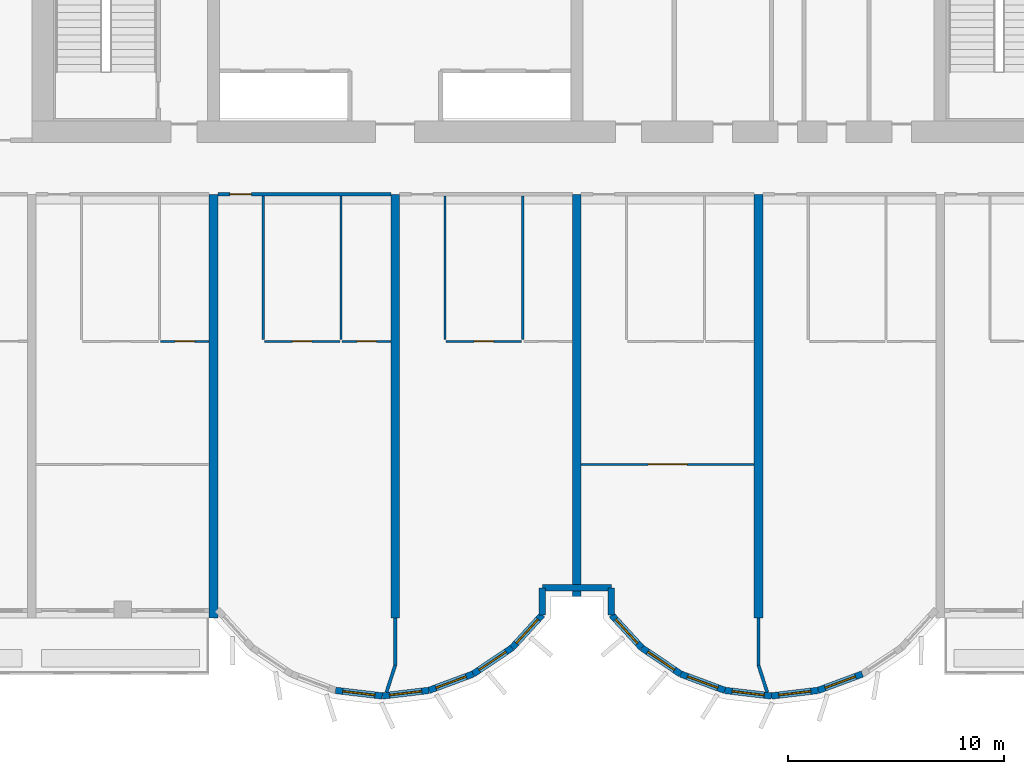
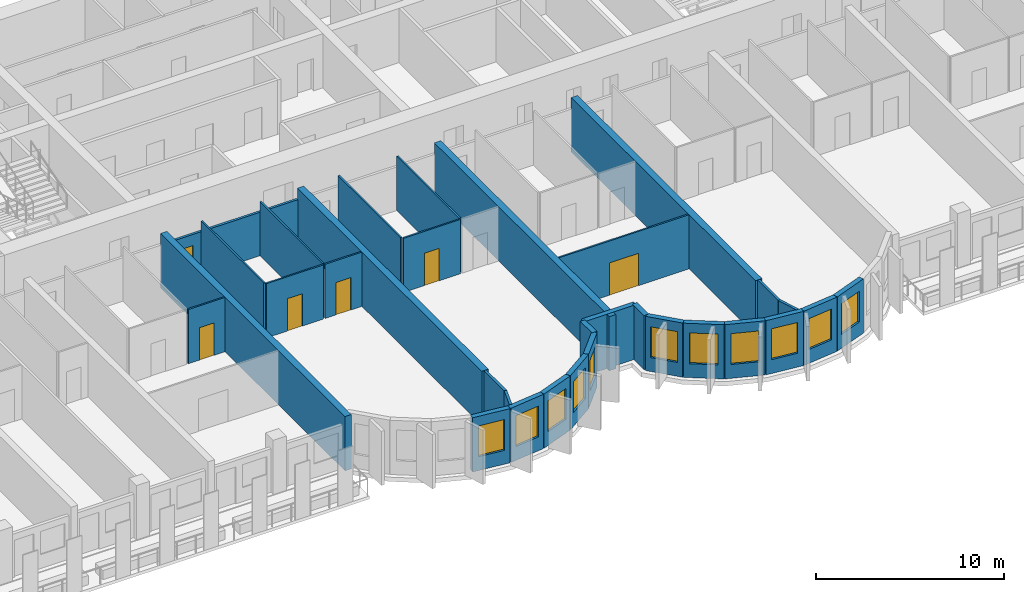
# One storey, part 4 of 15: 32 walls, 11 windows, 6 doors, 17 openings.
"""IFC4 building model written with IfcOpenShell, lengths in metres."""

from ifc_helpers import new_model, si_unit, direction, frame, frame_2d, origin, place, context, subcontext, project, spatial, rectangle, extrude, source, transform, mapped, material, layer, layer_set, type_object, element, fill, save


model = new_model("IFC4")

# Units and contexts
model_context = context("Model", 3, precision=1e-05, world=origin(), true_north=direction((0.0, 1.0)))
body_context = subcontext(model_context, "Body", "Model", "MODEL_VIEW")
ifc_project = project(units=[si_unit("LENGTHUNIT", "METRE"), si_unit("AREAUNIT", "SQUARE_METRE"), si_unit("VOLUMEUNIT", "CUBIC_METRE"), si_unit("PLANEANGLEUNIT", "RADIAN"), si_unit("MASSUNIT", "GRAM", prefix="KILO")], contexts=[model_context])

# Site, building, storey
site_placement = place(None, origin())
site = spatial("IfcSite", under=ifc_project, at=site_placement, CompositionType="ELEMENT")
building_placement = place(site_placement, origin())
building = spatial("IfcBuilding", under=site, at=building_placement, Name="Vanashikhar Sky Hotel", CompositionType="ELEMENT")
storey_placement = place(building_placement, frame((0.0, 0.0, 65.800048828125)))
storey = spatial("IfcBuildingStorey", under=building, at=storey_placement, Name="L15", CompositionType="ELEMENT", Elevation=65.800048828125)

# Walls
ifc_material_1 = material(Name="Concrete M80", Category="concrete")
ifc_layer_1 = layer(ifc_material_1, 0.39990234375)
ifc_layer_set_1 = layer_set([ifc_layer_1], Name="RC shear wall 400 Concrete M80")
wall_type_1 = type_object("IfcWallType", Name="RC shear wall 400 Concrete M80", PredefinedType="SHEAR", material=ifc_layer_set_1)
shared_shape_1 = source(origin(), body_context, "Body", "SweptSolid", [
    extrude(rectangle(XDim=19.60009765625, YDim=0.39990234375, at=frame_2d((9.800048828125, 0.0))), origin(), (0.0, 0.0, 1.0), 3.52001953125),
])
for number, where, z_axis, x_axis, name in (
    (1, (33.60009765625, 0.0, 0.0), (0.0, 0.0, 1.0), (0.0, 1.0, 0.0), "CW-L15-XW05-1"),
    (2, (42.0, 0.0, 0.0), (0.0, 0.0, 1.0), (0.0, 1.0, 0.0), "CW-L15-XW06-1"),
    (3, (58.800048828125, 0.0, 0.0), (0.0, 0.0, 1.0), (0.0, 1.0, 0.0), "CW-L15-XW08-1"),
):
    element("IfcWall", number, at=place(storey_placement, frame(where, z_axis=z_axis, x_axis=x_axis)), inside=storey, type_object=wall_type_1, Name=name, PredefinedType="SHEAR", context=body_context, shape_type="MappedRepresentation", body=[
        mapped(shared_shape_1, transform((0.0, 0.0, 0.0), scale=1.0)),
    ])
shared_shape_2 = source(origin(), body_context, "Body", "SweptSolid", [
    extrude(rectangle(XDim=18.60009765625, YDim=0.39990234375, at=frame_2d((9.300048828125, 0.0))), origin(), (0.0, 0.0, 1.0), 3.52001953125),
])
wall_1_placement = place(storey_placement, frame((50.39990234375, 1.0, 0.0), z_axis=(0.0, 0.0, 1.0), x_axis=(0.0, 1.0, 0.0)))
element("IfcWall", 4, at=wall_1_placement, inside=storey, type_object=wall_type_1, Name="CW-L15-XW07-1", PredefinedType="SHEAR", context=body_context, shape_type="MappedRepresentation", body=[
    mapped(shared_shape_2, transform((0.0, 0.0, 0.0), scale=1.0)),
])

# Wall, opening, window
ifc_material_2 = material(Name="Concrete M50", Category="concrete")
ifc_layer_2 = layer(ifc_material_2, 0.300048828125)
ifc_layer_set_2 = layer_set([ifc_layer_2], Name="Lobe wall 300")
wall_type_2 = type_object("IfcWallType", Name="Lobe wall 300", PredefinedType="SOLIDWALL", material=ifc_layer_set_2)
shared_shape_3 = source(origin(), body_context, "Body", "SweptSolid", [
    extrude(rectangle(XDim=2.17578125, YDim=0.300048828125, at=frame_2d((1.087890625, 0.0))), origin(), (0.0, 0.0, 1.0), 3.52001953125),
])
wall_2_placement = place(storey_placement, frame((45.59912109375, -2.58349609375, 0.0), z_axis=(0.0, 0.0, 1.0), x_axis=(0.829625727223, 0.558319937607, 0.0)))
wall_2 = element("IfcWall", 5, at=wall_2_placement, inside=storey, type_object=wall_type_2, Name="Lobe wall", PredefinedType="SOLIDWALL", context=body_context, shape_type="MappedRepresentation", body=[
    mapped(shared_shape_3, transform((0.0, 0.0, 0.0), scale=1.0)),
])
shared_shape_4 = source(origin(), body_context, "Body", "SweptSolid", [
    extrude(rectangle(XDim=1.5, YDim=2.0, at=frame_2d((0.75, 1.0))), frame((0.0, 0.16015625, 0.0), z_axis=(0.0, -1.0, 0.0), x_axis=(1.0, 0.0, 0.0)), (0.0, 0.0, 1.0), 0.320068359375),
])
opening_1_placement = place(wall_2_placement, frame((0.337890625, 0.0, 0.89990234375)))
opening_1 = element("IfcOpeningElement", 6, at=opening_1_placement, cuts=wall_2, Name="Opening WN-2", PredefinedType="OPENING", context=body_context, shape_type="MappedRepresentation", body=[
    mapped(shared_shape_4, transform((0.0, 0.0, 0.0), scale=1.0)),
])
ifc_material_3 = material(Name="Glass", Category="glass")
window_type = type_object("IfcWindowType", Name="Lobe window 1500 x 2000", PartitioningType="SINGLE_PANEL", PredefinedType="WINDOW", material=ifc_material_3)
shared_shape_5 = source(origin(), body_context, "Body", "SweptSolid", [
    extrude(rectangle(XDim=1.5, YDim=2.0, at=frame_2d((0.75, 1.0))), frame((0.0, 0.030029296875, 0.0), z_axis=(0.0, -1.0, 0.0), x_axis=(1.0, 0.0, 0.0)), (0.0, 0.0, 1.0), 0.06005859375),
])
window_1_placement = place(opening_1_placement, origin())
window_1 = element("IfcWindow", 7, at=window_1_placement, inside=storey, type_object=window_type, Name="Window WN-2", OverallHeight=2.0, OverallWidth=1.5, PartitioningType="SINGLE_PANEL", PredefinedType="WINDOW", context=body_context, shape_type="MappedRepresentation", body=[
    mapped(shared_shape_5, transform((0.0, 0.0, 0.0), scale=1.0)),
])
fill(opening_1, window_1)

wall_3_placement = place(storey_placement, frame((53.395751953125, -1.36865234375, 0.0), z_axis=(0.0, 0.0, 1.0), x_axis=(0.829590746428, -0.558371913192, 0.0)))
wall_3 = element("IfcWall", 8, at=wall_3_placement, inside=storey, type_object=wall_type_2, Name="Lobe wall", PredefinedType="SOLIDWALL", context=body_context, shape_type="MappedRepresentation", body=[
    mapped(shared_shape_3, transform((0.0, 0.0, 0.0), scale=1.0)),
])
opening_2_placement = place(wall_3_placement, frame((0.337890625, 0.0, 0.89990234375)))
opening_2 = element("IfcOpeningElement", 9, at=opening_2_placement, cuts=wall_3, Name="Opening WN-2", PredefinedType="OPENING", context=body_context, shape_type="MappedRepresentation", body=[
    mapped(shared_shape_4, transform((0.0, 0.0, 0.0), scale=1.0)),
])
window_2_placement = place(opening_2_placement, origin())
window_2 = element("IfcWindow", 10, at=window_2_placement, inside=storey, type_object=window_type, Name="Window WN-2", OverallHeight=2.0, OverallWidth=1.5, PartitioningType="SINGLE_PANEL", PredefinedType="WINDOW", context=body_context, shape_type="MappedRepresentation", body=[
    mapped(shared_shape_5, transform((0.0, 0.0, 0.0), scale=1.0)),
])
fill(opening_2, window_2)

wall_4_placement = place(storey_placement, frame((55.20068359375, -2.58349609375, 0.0), z_axis=(0.0, 0.0, 1.0), x_axis=(0.93754555999, -0.347862505801, 0.0)))
wall_4 = element("IfcWall", 11, at=wall_4_placement, inside=storey, type_object=wall_type_2, Name="Lobe wall", PredefinedType="SOLIDWALL", context=body_context, shape_type="MappedRepresentation", body=[
    mapped(shared_shape_3, transform((0.0, 0.0, 0.0), scale=1.0)),
])
opening_3_placement = place(wall_4_placement, frame((0.337890625, 0.0, 0.89990234375)))
opening_3 = element("IfcOpeningElement", 12, at=opening_3_placement, cuts=wall_4, Name="Opening WN-2", PredefinedType="OPENING", context=body_context, shape_type="MappedRepresentation", body=[
    mapped(shared_shape_4, transform((0.0, 0.0, 0.0), scale=1.0)),
])
window_3_placement = place(opening_3_placement, origin())
window_3 = element("IfcWindow", 13, at=window_3_placement, inside=storey, type_object=window_type, Name="Window WN-2", OverallHeight=2.0, OverallWidth=1.5, PartitioningType="SINGLE_PANEL", PredefinedType="WINDOW", context=body_context, shape_type="MappedRepresentation", body=[
    mapped(shared_shape_5, transform((0.0, 0.0, 0.0), scale=1.0)),
])
fill(opening_3, window_3)

shared_shape_6 = source(origin(), body_context, "Body", "SweptSolid", [
    extrude(rectangle(XDim=2.174560546875, YDim=0.300048828125, at=frame_2d((1.08740234375, 0.0))), origin(), (0.0, 0.0, 1.0), 3.52001953125),
])
wall_5_placement = place(storey_placement, frame((39.240478515625, -3.34033203125, 0.0), z_axis=(0.0, 0.0, 1.0), x_axis=(0.993001132889, -0.118104826659, 0.0)))
wall_5 = element("IfcWall", 14, at=wall_5_placement, inside=storey, type_object=wall_type_2, Name="Lobe wall", PredefinedType="SOLIDWALL", context=body_context, shape_type="MappedRepresentation", body=[
    mapped(shared_shape_6, transform((0.0, 0.0, 0.0), scale=1.0)),
])
opening_4_placement = place(wall_5_placement, frame((0.33740234375, 0.0, 0.89990234375)))
opening_4 = element("IfcOpeningElement", 15, at=opening_4_placement, cuts=wall_5, Name="Opening WN-2", PredefinedType="OPENING", context=body_context, shape_type="MappedRepresentation", body=[
    mapped(shared_shape_4, transform((0.0, 0.0, 0.0), scale=1.0)),
])
window_4_placement = place(opening_4_placement, origin())
window_4 = element("IfcWindow", 16, at=window_4_placement, inside=storey, type_object=window_type, Name="Window WN-2", OverallHeight=2.0, OverallWidth=1.5, PartitioningType="SINGLE_PANEL", PredefinedType="WINDOW", context=body_context, shape_type="MappedRepresentation", body=[
    mapped(shared_shape_5, transform((0.0, 0.0, 0.0), scale=1.0)),
])
fill(opening_4, window_4)

wall_6_placement = place(storey_placement, frame((57.240478515625, -3.34033203125, 0.0), z_axis=(0.0, 0.0, 1.0), x_axis=(0.993001132889, -0.118104826659, 0.0)))
wall_6 = element("IfcWall", 17, at=wall_6_placement, inside=storey, type_object=wall_type_2, Name="Lobe wall", PredefinedType="SOLIDWALL", context=body_context, shape_type="MappedRepresentation", body=[
    mapped(shared_shape_6, transform((0.0, 0.0, 0.0), scale=1.0)),
])
opening_5_placement = place(wall_6_placement, frame((0.33740234375, 0.0, 0.89990234375)))
opening_5 = element("IfcOpeningElement", 18, at=opening_5_placement, cuts=wall_6, Name="Opening WN-2", PredefinedType="OPENING", context=body_context, shape_type="MappedRepresentation", body=[
    mapped(shared_shape_4, transform((0.0, 0.0, 0.0), scale=1.0)),
])
window_5_placement = place(opening_5_placement, origin())
window_5 = element("IfcWindow", 19, at=window_5_placement, inside=storey, type_object=window_type, Name="Window WN-2", OverallHeight=2.0, OverallWidth=1.5, PartitioningType="SINGLE_PANEL", PredefinedType="WINDOW", context=body_context, shape_type="MappedRepresentation", body=[
    mapped(shared_shape_5, transform((0.0, 0.0, 0.0), scale=1.0)),
])
fill(opening_5, window_5)

shared_shape_7 = source(origin(), body_context, "Body", "SweptSolid", [
    extrude(rectangle(XDim=2.1748046875, YDim=0.300048828125, at=frame_2d((1.08740234375, 0.0))), origin(), (0.0, 0.0, 1.0), 3.52001953125),
])
wall_7_placement = place(storey_placement, frame((41.39990234375, -3.59716796875, 0.0), z_axis=(0.0, 0.0, 1.0), x_axis=(0.993002698611, 0.118091661648, 0.0)))
wall_7 = element("IfcWall", 20, at=wall_7_placement, inside=storey, type_object=wall_type_2, Name="Lobe wall", PredefinedType="SOLIDWALL", context=body_context, shape_type="MappedRepresentation", body=[
    mapped(shared_shape_7, transform((0.0, 0.0, 0.0), scale=1.0)),
])
opening_6_placement = place(wall_7_placement, frame((0.33740234375, 0.0, 0.89990234375)))
opening_6 = element("IfcOpeningElement", 21, at=opening_6_placement, cuts=wall_7, Name="Opening WN-2", PredefinedType="OPENING", context=body_context, shape_type="MappedRepresentation", body=[
    mapped(shared_shape_4, transform((0.0, 0.0, 0.0), scale=1.0)),
])
window_6_placement = place(opening_6_placement, origin())
window_6 = element("IfcWindow", 22, at=window_6_placement, inside=storey, type_object=window_type, Name="Window WN-2", OverallHeight=2.0, OverallWidth=1.5, PartitioningType="SINGLE_PANEL", PredefinedType="WINDOW", context=body_context, shape_type="MappedRepresentation", body=[
    mapped(shared_shape_5, transform((0.0, 0.0, 0.0), scale=1.0)),
])
fill(opening_6, window_6)

wall_8_placement = place(storey_placement, frame((59.39990234375, -3.59716796875, 0.0), z_axis=(0.0, 0.0, 1.0), x_axis=(0.993002698611, 0.118091661648, 0.0)))
wall_8 = element("IfcWall", 23, at=wall_8_placement, inside=storey, type_object=wall_type_2, Name="Lobe wall", PredefinedType="SOLIDWALL", context=body_context, shape_type="MappedRepresentation", body=[
    mapped(shared_shape_7, transform((0.0, 0.0, 0.0), scale=1.0)),
])
opening_7_placement = place(wall_8_placement, frame((0.33740234375, 0.0, 0.89990234375)))
opening_7 = element("IfcOpeningElement", 24, at=opening_7_placement, cuts=wall_8, Name="Opening WN-2", PredefinedType="OPENING", context=body_context, shape_type="MappedRepresentation", body=[
    mapped(shared_shape_4, transform((0.0, 0.0, 0.0), scale=1.0)),
])
window_7_placement = place(opening_7_placement, origin())
window_7 = element("IfcWindow", 25, at=window_7_placement, inside=storey, type_object=window_type, Name="Window WN-2", OverallHeight=2.0, OverallWidth=1.5, PartitioningType="SINGLE_PANEL", PredefinedType="WINDOW", context=body_context, shape_type="MappedRepresentation", body=[
    mapped(shared_shape_5, transform((0.0, 0.0, 0.0), scale=1.0)),
])
fill(opening_7, window_7)

shared_shape_8 = source(origin(), body_context, "Body", "SweptSolid", [
    extrude(rectangle(XDim=2.175537109375, YDim=0.300048828125, at=frame_2d((1.087890625, 0.0))), origin(), (0.0, 0.0, 1.0), 3.52001953125),
])
wall_9_placement = place(storey_placement, frame((43.5595703125, -3.34033203125, 0.0), z_axis=(0.0, 0.0, 1.0), x_axis=(0.937531979054, 0.347899106424, 0.0)))
wall_9 = element("IfcWall", 26, at=wall_9_placement, inside=storey, type_object=wall_type_2, Name="Lobe wall", PredefinedType="SOLIDWALL", context=body_context, shape_type="MappedRepresentation", body=[
    mapped(shared_shape_8, transform((0.0, 0.0, 0.0), scale=1.0)),
])
opening_8_placement = place(wall_9_placement, frame((0.337890625, 0.0, 0.89990234375)))
opening_8 = element("IfcOpeningElement", 27, at=opening_8_placement, cuts=wall_9, Name="Opening WN-2", PredefinedType="OPENING", context=body_context, shape_type="MappedRepresentation", body=[
    mapped(shared_shape_4, transform((0.0, 0.0, 0.0), scale=1.0)),
])
window_8_placement = place(opening_8_placement, origin())
window_8 = element("IfcWindow", 28, at=window_8_placement, inside=storey, type_object=window_type, Name="Window WN-2", OverallHeight=2.0, OverallWidth=1.5, PartitioningType="SINGLE_PANEL", PredefinedType="WINDOW", context=body_context, shape_type="MappedRepresentation", body=[
    mapped(shared_shape_5, transform((0.0, 0.0, 0.0), scale=1.0)),
])
fill(opening_8, window_8)

wall_10_placement = place(storey_placement, frame((61.5595703125, -3.34033203125, 0.0), z_axis=(0.0, 0.0, 1.0), x_axis=(0.937531979054, 0.347899106424, 0.0)))
wall_10 = element("IfcWall", 29, at=wall_10_placement, inside=storey, type_object=wall_type_2, Name="Lobe wall", PredefinedType="SOLIDWALL", context=body_context, shape_type="MappedRepresentation", body=[
    mapped(shared_shape_8, transform((0.0, 0.0, 0.0), scale=1.0)),
])
opening_9_placement = place(wall_10_placement, frame((0.337890625, 0.0, 0.89990234375)))
opening_9 = element("IfcOpeningElement", 30, at=opening_9_placement, cuts=wall_10, Name="Opening WN-2", PredefinedType="OPENING", context=body_context, shape_type="MappedRepresentation", body=[
    mapped(shared_shape_4, transform((0.0, 0.0, 0.0), scale=1.0)),
])
window_9_placement = place(opening_9_placement, origin())
window_9 = element("IfcWindow", 31, at=window_9_placement, inside=storey, type_object=window_type, Name="Window WN-2", OverallHeight=2.0, OverallWidth=1.5, PartitioningType="SINGLE_PANEL", PredefinedType="WINDOW", context=body_context, shape_type="MappedRepresentation", body=[
    mapped(shared_shape_5, transform((0.0, 0.0, 0.0), scale=1.0)),
])
fill(opening_9, window_9)

shared_shape_9 = source(origin(), body_context, "Body", "SweptSolid", [
    extrude(rectangle(XDim=2.066650390625, YDim=0.300048828125, at=frame_2d((1.033203125, 0.0))), origin(), (0.0, 0.0, 1.0), 3.52001953125),
])
wall_11_placement = place(storey_placement, frame((47.404296875, -1.36865234375, 0.0), z_axis=(0.0, 0.0, 1.0), x_axis=(0.675355439877, 0.737492393065, 0.0)))
wall_11 = element("IfcWall", 32, at=wall_11_placement, inside=storey, type_object=wall_type_2, Name="Lobe wall", PredefinedType="SOLIDWALL", context=body_context, shape_type="MappedRepresentation", body=[
    mapped(shared_shape_9, transform((0.0, 0.0, 0.0), scale=1.0)),
])
opening_10_placement = place(wall_11_placement, frame((0.283447265625, 0.0, 0.89990234375)))
opening_10 = element("IfcOpeningElement", 33, at=opening_10_placement, cuts=wall_11, Name="Opening WN-2", PredefinedType="OPENING", context=body_context, shape_type="MappedRepresentation", body=[
    mapped(shared_shape_4, transform((0.0, 0.0, 0.0), scale=1.0)),
])
window_10_placement = place(opening_10_placement, origin())
window_10 = element("IfcWindow", 34, at=window_10_placement, inside=storey, type_object=window_type, Name="Window WN-2", OverallHeight=2.0, OverallWidth=1.5, PartitioningType="SINGLE_PANEL", PredefinedType="WINDOW", context=body_context, shape_type="MappedRepresentation", body=[
    mapped(shared_shape_5, transform((0.0, 0.0, 0.0), scale=1.0)),
])
fill(opening_10, window_10)

wall_12_placement = place(storey_placement, frame((52.0, 0.155517578125, 0.0), z_axis=(0.0, 0.0, 1.0), x_axis=(0.675355439877, -0.737492393065, 0.0)))
wall_12 = element("IfcWall", 35, at=wall_12_placement, inside=storey, type_object=wall_type_2, Name="Lobe wall", PredefinedType="SOLIDWALL", context=body_context, shape_type="MappedRepresentation", body=[
    mapped(shared_shape_9, transform((0.0, 0.0, 0.0), scale=1.0)),
])
opening_11_placement = place(wall_12_placement, frame((0.283447265625, 0.0, 0.89990234375)))
opening_11 = element("IfcOpeningElement", 36, at=opening_11_placement, cuts=wall_12, Name="Opening WN-2", PredefinedType="OPENING", context=body_context, shape_type="MappedRepresentation", body=[
    mapped(shared_shape_4, transform((0.0, 0.0, 0.0), scale=1.0)),
])
window_11_placement = place(opening_11_placement, origin())
window_11 = element("IfcWindow", 37, at=window_11_placement, inside=storey, type_object=window_type, Name="Window WN-2", OverallHeight=2.0, OverallWidth=1.5, PartitioningType="SINGLE_PANEL", PredefinedType="WINDOW", context=body_context, shape_type="MappedRepresentation", body=[
    mapped(shared_shape_5, transform((0.0, 0.0, 0.0), scale=1.0)),
])
fill(opening_11, window_11)

# Walls
shared_shape_10 = source(origin(), body_context, "Body", "SweptSolid", [
    extrude(rectangle(XDim=1.244384765625, YDim=0.300048828125, at=frame_2d((0.6220703125, 0.0))), origin(), (0.0, 0.0, 1.0), 3.52001953125),
])
for number, where, z_axis, x_axis, name in (
    (38, (48.800048828125, 0.155517578125, 0.0), (0.0, 0.0, 1.0), (0.0, 1.0, 0.0), "Groove wall"),
    (39, (52.0, 1.39990234375, 0.0), (0.0, 0.0, 1.0), (0.0, -1.0, 0.0), "Groove wall"),
):
    element("IfcWall", number, at=place(storey_placement, frame(where, z_axis=z_axis, x_axis=x_axis)), inside=storey, type_object=wall_type_2, Name=name, PredefinedType="SOLIDWALL", context=body_context, shape_type="MappedRepresentation", body=[
        mapped(shared_shape_10, transform((0.0, 0.0, 0.0), scale=1.0)),
    ])
shared_shape_11 = source(origin(), body_context, "Body", "SweptSolid", [
    extrude(rectangle(XDim=3.199951171875, YDim=0.300048828125, at=frame_2d((1.60009765625, 0.0))), origin(), (0.0, 0.0, 1.0), 3.52001953125),
])
wall_13_placement = place(storey_placement, frame((48.800048828125, 1.39990234375, 0.0), z_axis=(0.0, 0.0, 1.0), x_axis=(1.0, 0.0, 0.0)))
element("IfcWall", 40, at=wall_13_placement, inside=storey, type_object=wall_type_2, Name="Groove wall", PredefinedType="SOLIDWALL", context=body_context, shape_type="MappedRepresentation", body=[
    mapped(shared_shape_11, transform((0.0, 0.0, 0.0), scale=1.0)),
])
ifc_material_4 = material(Name="Gypsum plasterboard partition")
ifc_layer_3 = layer(ifc_material_4, 0.14990234375)
ifc_layer_set_3 = layer_set([ifc_layer_3], Name="Corridor and demising partition 150")
wall_type_3 = type_object("IfcWallType", Name="Corridor and demising partition 150", PredefinedType="PARTITIONING", material=ifc_layer_set_3)
shared_shape_12 = source(origin(), body_context, "Body", "SweptSolid", [
    extrude(rectangle(XDim=2.177978515625, YDim=0.14990234375, at=frame_2d((1.0888671875, 0.0))), origin(), (0.0, 0.0, 1.0), 3.52001953125),
])
for number, where, z_axis, x_axis, name in (
    (41, (42.0, -2.177978515625, 0.0), (0.0, 0.0, 1.0), (0.0, 1.0, 0.0), "W-L15-PW068"),
    (42, (58.800048828125, -2.177978515625, 0.0), (0.0, 0.0, 1.0), (0.0, 1.0, 0.0), "W-L15-PW069"),
):
    element("IfcWall", number, at=place(storey_placement, frame(where, z_axis=z_axis, x_axis=x_axis)), inside=storey, type_object=wall_type_3, Name=name, PredefinedType="PARTITIONING", context=body_context, shape_type="MappedRepresentation", body=[
        mapped(shared_shape_12, transform((0.0, 0.0, 0.0), scale=1.0)),
    ])

# Wall, opening, door
ifc_layer_4 = layer(ifc_material_4, 0.10009765625)
ifc_layer_set_4 = layer_set([ifc_layer_4], Name="Wet room partition 100")
wall_type_4 = type_object("IfcWallType", Name="Wet room partition 100", PredefinedType="PARTITIONING", material=ifc_layer_set_4)
shared_shape_13 = source(origin(), body_context, "Body", "SweptSolid", [
    extrude(rectangle(XDim=3.5, YDim=0.10009765625, at=frame_2d((1.75, 0.0))), origin(), (0.0, 0.0, 1.0), 3.52001953125),
])
wall_14_placement = place(storey_placement, frame((35.949951171875, 12.800048828125, 0.0), z_axis=(0.0, 0.0, 1.0), x_axis=(1.0, 0.0, 0.0)))
wall_14 = element("IfcWall", 43, at=wall_14_placement, inside=storey, type_object=wall_type_4, Name="W-L15-PW026", PredefinedType="PARTITIONING", context=body_context, shape_type="MappedRepresentation", body=[
    mapped(shared_shape_13, transform((0.0, 0.0, 0.0), scale=1.0)),
])
shared_shape_14 = source(origin(), body_context, "Body", "SweptSolid", [
    extrude(rectangle(XDim=0.89990234375, YDim=2.10009765625, at=frame_2d((0.449951171875, 1.050048828125))), frame((0.0, 0.06005859375, 0.0), z_axis=(0.0, -1.0, 0.0), x_axis=(1.0, 0.0, 0.0)), (0.0, 0.0, 1.0), 0.1201171875),
])
opening_12_placement = place(wall_14_placement, frame((1.300048828125, 0.0, 0.0)))
opening_12 = element("IfcOpeningElement", 44, at=opening_12_placement, cuts=wall_14, Name="Opening D-02", PredefinedType="OPENING", context=body_context, shape_type="MappedRepresentation", body=[
    mapped(shared_shape_14, transform((0.0, 0.0, 0.0), scale=1.0)),
])
ifc_material_5 = material(Name="Timber door", Category="wood")
door_type_1 = type_object("IfcDoorType", Name="Internal door 900", OperationType="NOTDEFINED", PredefinedType="DOOR", material=ifc_material_5)
shared_shape_15 = source(origin(), body_context, "Body", "SweptSolid", [
    extrude(rectangle(XDim=0.89990234375, YDim=2.10009765625, at=frame_2d((0.449951171875, 1.050048828125))), frame((0.0, 0.02490234375, 0.0), z_axis=(0.0, -1.0, 0.0), x_axis=(1.0, 0.0, 0.0)), (0.0, 0.0, 1.0), 0.050048828125),
])
door_1_placement = place(opening_12_placement, origin())
door_1 = element("IfcDoor", 45, at=door_1_placement, inside=storey, type_object=door_type_1, Name="D-L15-015", OperationType="SINGLE_SWING_LEFT", OverallHeight=2.10009765625, OverallWidth=0.89990234375, PredefinedType="DOOR", context=body_context, shape_type="MappedRepresentation", body=[
    mapped(shared_shape_15, transform((0.0, 0.0, 0.0), scale=1.0)),
])
fill(opening_12, door_1)

wall_15_placement = place(storey_placement, frame((44.35009765625, 12.800048828125, 0.0), z_axis=(0.0, 0.0, 1.0), x_axis=(1.0, 0.0, 0.0)))
wall_15 = element("IfcWall", 46, at=wall_15_placement, inside=storey, type_object=wall_type_4, Name="W-L15-PW031", PredefinedType="PARTITIONING", context=body_context, shape_type="MappedRepresentation", body=[
    mapped(shared_shape_13, transform((0.0, 0.0, 0.0), scale=1.0)),
])
opening_13_placement = place(wall_15_placement, frame((1.300048828125, 0.0, 0.0)))
opening_13 = element("IfcOpeningElement", 47, at=opening_13_placement, cuts=wall_15, Name="Opening D-02", PredefinedType="OPENING", context=body_context, shape_type="MappedRepresentation", body=[
    mapped(shared_shape_14, transform((0.0, 0.0, 0.0), scale=1.0)),
])
door_2_placement = place(opening_13_placement, origin())
door_2 = element("IfcDoor", 48, at=door_2_placement, inside=storey, type_object=door_type_1, Name="D-L15-018", OperationType="SINGLE_SWING_LEFT", OverallHeight=2.10009765625, OverallWidth=0.89990234375, PredefinedType="DOOR", context=body_context, shape_type="MappedRepresentation", body=[
    mapped(shared_shape_15, transform((0.0, 0.0, 0.0), scale=1.0)),
])
fill(opening_13, door_2)

# Walls
shared_shape_16 = source(origin(), body_context, "Body", "SweptSolid", [
    extrude(rectangle(XDim=1.308349609375, YDim=0.14990234375, at=frame_2d((0.654296875, 0.0))), origin(), (0.0, 0.0, 1.0), 3.52001953125),
])
for number, where, z_axis, x_axis, name in (
    (49, (41.597900390625, -3.423095703125, 0.0), (0.0, 0.0, 1.0), (0.307313512187, 0.951608325535, 0.0), "W-L15-PW068B0"),
    (50, (59.201904296875, -3.423095703125, 0.0), (0.0, 0.0, 1.0), (-0.307144529633, 0.951662880392, 0.0), "W-L15-PW069B0"),
):
    element("IfcWall", number, at=place(storey_placement, frame(where, z_axis=z_axis, x_axis=x_axis)), inside=storey, type_object=wall_type_3, Name=name, PredefinedType="PARTITIONING", context=body_context, shape_type="MappedRepresentation", body=[
        mapped(shared_shape_16, transform((0.0, 0.0, 0.0), scale=1.0)),
    ])

# Wall, opening, door
shared_shape_17 = source(origin(), body_context, "Body", "SweptSolid", [
    extrude(rectangle(XDim=8.0, YDim=0.14990234375, at=frame_2d((4.0, 0.0))), origin(), (0.0, 0.0, 1.0), 2.820068359375),
])
wall_16_placement = place(storey_placement, frame((33.800048828125, 19.60009765625, 0.0), z_axis=(0.0, 0.0, 1.0), x_axis=(1.0, 0.0, 0.0)))
wall_16 = element("IfcWall", 51, at=wall_16_placement, inside=storey, type_object=wall_type_3, Name="W-L15-PW028", PredefinedType="PARTITIONING", context=body_context, shape_type="MappedRepresentation", body=[
    mapped(shared_shape_17, transform((0.0, 0.0, 0.0), scale=1.0)),
])
shared_shape_18 = source(origin(), body_context, "Body", "SweptSolid", [
    extrude(rectangle(XDim=1.0, YDim=2.10009765625, at=frame_2d((0.5, 1.050048828125))), frame((0.0, 0.0849609375, 0.0), z_axis=(0.0, -1.0, 0.0), x_axis=(1.0, 0.0, 0.0)), (0.0, 0.0, 1.0), 0.169921875),
])
opening_14_placement = place(wall_16_placement, frame((0.550048828125, 0.0, 0.0)))
opening_14 = element("IfcOpeningElement", 52, at=opening_14_placement, cuts=wall_16, Name="Opening D-01", PredefinedType="OPENING", context=body_context, shape_type="MappedRepresentation", body=[
    mapped(shared_shape_18, transform((0.0, 0.0, 0.0), scale=1.0)),
])
ifc_material_6 = material(Name="Timber fire door", Category="wood")
door_type_2 = type_object("IfcDoorType", Name="Guest entry door 1000 FD30S", OperationType="NOTDEFINED", PredefinedType="DOOR", material=ifc_material_6)
shared_shape_19 = source(origin(), body_context, "Body", "SweptSolid", [
    extrude(rectangle(XDim=1.0, YDim=2.10009765625, at=frame_2d((0.5, 1.050048828125))), frame((0.0, 0.02490234375, 0.0), z_axis=(0.0, -1.0, 0.0), x_axis=(1.0, 0.0, 0.0)), (0.0, 0.0, 1.0), 0.050048828125),
])
door_3_placement = place(opening_14_placement, origin())
door_3 = element("IfcDoor", 53, at=door_3_placement, inside=storey, type_object=door_type_2, Name="D-L15-017", OperationType="SINGLE_SWING_LEFT", OverallHeight=2.10009765625, OverallWidth=1.0, PredefinedType="DOOR", context=body_context, shape_type="MappedRepresentation", body=[
    mapped(shared_shape_19, transform((0.0, 0.0, 0.0), scale=1.0)),
])
fill(opening_14, door_3)

shared_shape_20 = source(origin(), body_context, "Body", "SweptSolid", [
    extrude(rectangle(XDim=8.0, YDim=0.10009765625, at=frame_2d((4.0, 0.0))), origin(), (0.0, 0.0, 1.0), 3.52001953125),
])
wall_17_placement = place(storey_placement, frame((50.60009765625, 7.10791015625, 0.0), z_axis=(0.0, 0.0, 1.0), x_axis=(1.0, 0.0, 0.0)))
wall_17 = element("IfcWall", 54, at=wall_17_placement, inside=storey, type_object=wall_type_4, Name="W-L15-PW038", PredefinedType="PARTITIONING", context=body_context, shape_type="MappedRepresentation", body=[
    mapped(shared_shape_20, transform((0.0, 0.0, 0.0), scale=1.0)),
])
shared_shape_21 = source(origin(), body_context, "Body", "SweptSolid", [
    extrude(rectangle(XDim=1.800048828125, YDim=2.10009765625, at=frame_2d((0.89990234375, 1.050048828125))), frame((0.0, 0.06005859375, 0.0), z_axis=(0.0, -1.0, 0.0), x_axis=(1.0, 0.0, 0.0)), (0.0, 0.0, 1.0), 0.1201171875),
])
opening_15_placement = place(wall_17_placement, frame((3.10009765625, 0.0, 0.0)))
opening_15 = element("IfcOpeningElement", 55, at=opening_15_placement, cuts=wall_17, Name="Opening D-08", PredefinedType="OPENING", context=body_context, shape_type="MappedRepresentation", body=[
    mapped(shared_shape_21, transform((0.0, 0.0, 0.0), scale=1.0)),
])
door_type_3 = type_object("IfcDoorType", Name="Double leaf door 1800", OperationType="NOTDEFINED", PredefinedType="DOOR", material=ifc_material_5)
shared_shape_22 = source(origin(), body_context, "Body", "SweptSolid", [
    extrude(rectangle(XDim=1.800048828125, YDim=2.10009765625, at=frame_2d((0.89990234375, 1.050048828125))), frame((0.0, 0.02490234375, 0.0), z_axis=(0.0, -1.0, 0.0), x_axis=(1.0, 0.0, 0.0)), (0.0, 0.0, 1.0), 0.050048828125),
])
door_4_placement = place(opening_15_placement, origin())
door_4 = element("IfcDoor", 56, at=door_4_placement, inside=storey, type_object=door_type_3, Name="D-L15-023", OperationType="DOUBLE_DOOR_SINGLE_SWING", OverallHeight=2.10009765625, OverallWidth=1.800048828125, PredefinedType="DOOR", context=body_context, shape_type="MappedRepresentation", body=[
    mapped(shared_shape_22, transform((0.0, 0.0, 0.0), scale=1.0)),
])
fill(opening_15, door_4)

# Walls
shared_shape_23 = source(origin(), body_context, "Body", "SweptSolid", [
    extrude(rectangle(XDim=6.64990234375, YDim=0.10009765625, at=frame_2d((3.324951171875, 0.0))), origin(), (0.0, 0.0, 1.0), 3.52001953125),
])
for number, where, z_axis, x_axis, name in (
    (57, (35.89990234375, 12.875, 0.0), (0.0, 0.0, 1.0), (0.0, 1.0, 0.0), "W-L15-PW024"),
    (58, (39.5, 12.875, 0.0), (0.0, 0.0, 1.0), (0.0, 1.0, 0.0), "W-L15-PW025"),
    (59, (44.300048828125, 12.875, 0.0), (0.0, 0.0, 1.0), (0.0, 1.0, 0.0), "W-L15-PW029"),
    (60, (47.89990234375, 12.875, 0.0), (0.0, 0.0, 1.0), (0.0, 1.0, 0.0), "W-L15-PW030"),
):
    element("IfcWall", number, at=place(storey_placement, frame(where, z_axis=z_axis, x_axis=x_axis)), inside=storey, type_object=wall_type_4, Name=name, PredefinedType="PARTITIONING", context=body_context, shape_type="MappedRepresentation", body=[
        mapped(shared_shape_23, transform((0.0, 0.0, 0.0), scale=1.0)),
    ])

# Wall, opening, door
shared_shape_24 = source(origin(), body_context, "Body", "SweptSolid", [
    extrude(rectangle(XDim=2.25, YDim=0.10009765625, at=frame_2d((1.125, 0.0))), origin(), (0.0, 0.0, 1.0), 3.52001953125),
])
wall_18_placement = place(storey_placement, frame((31.14990234375, 12.800048828125, 0.0), z_axis=(0.0, 0.0, 1.0), x_axis=(1.0, 0.0, 0.0)))
wall_18 = element("IfcWall", 61, at=wall_18_placement, inside=storey, type_object=wall_type_4, Name="W-L15-PW021", PredefinedType="PARTITIONING", context=body_context, shape_type="MappedRepresentation", body=[
    mapped(shared_shape_24, transform((0.0, 0.0, 0.0), scale=1.0)),
])
opening_16_placement = place(wall_18_placement, frame((0.675048828125, 0.0, 0.0)))
opening_16 = element("IfcOpeningElement", 62, at=opening_16_placement, cuts=wall_18, Name="Opening D-02", PredefinedType="OPENING", context=body_context, shape_type="MappedRepresentation", body=[
    mapped(shared_shape_14, transform((0.0, 0.0, 0.0), scale=1.0)),
])
door_5_placement = place(opening_16_placement, origin())
door_5 = element("IfcDoor", 63, at=door_5_placement, inside=storey, type_object=door_type_1, Name="D-L15-012", OperationType="SINGLE_SWING_LEFT", OverallHeight=2.10009765625, OverallWidth=0.89990234375, PredefinedType="DOOR", context=body_context, shape_type="MappedRepresentation", body=[
    mapped(shared_shape_15, transform((0.0, 0.0, 0.0), scale=1.0)),
])
fill(opening_16, door_5)

wall_19_placement = place(storey_placement, frame((39.550048828125, 12.800048828125, 0.0), z_axis=(0.0, 0.0, 1.0), x_axis=(1.0, 0.0, 0.0)))
wall_19 = element("IfcWall", 64, at=wall_19_placement, inside=storey, type_object=wall_type_4, Name="W-L15-PW027", PredefinedType="PARTITIONING", context=body_context, shape_type="MappedRepresentation", body=[
    mapped(shared_shape_24, transform((0.0, 0.0, 0.0), scale=1.0)),
])
opening_17_placement = place(wall_19_placement, frame((0.675048828125, 0.0, 0.0)))
opening_17 = element("IfcOpeningElement", 65, at=opening_17_placement, cuts=wall_19, Name="Opening D-02", PredefinedType="OPENING", context=body_context, shape_type="MappedRepresentation", body=[
    mapped(shared_shape_14, transform((0.0, 0.0, 0.0), scale=1.0)),
])
door_6_placement = place(opening_17_placement, origin())
door_6 = element("IfcDoor", 66, at=door_6_placement, inside=storey, type_object=door_type_1, Name="D-L15-016", OperationType="SINGLE_SWING_LEFT", OverallHeight=2.10009765625, OverallWidth=0.89990234375, PredefinedType="DOOR", context=body_context, shape_type="MappedRepresentation", body=[
    mapped(shared_shape_15, transform((0.0, 0.0, 0.0), scale=1.0)),
])
fill(opening_17, door_6)

save(model, "model.ifc")
